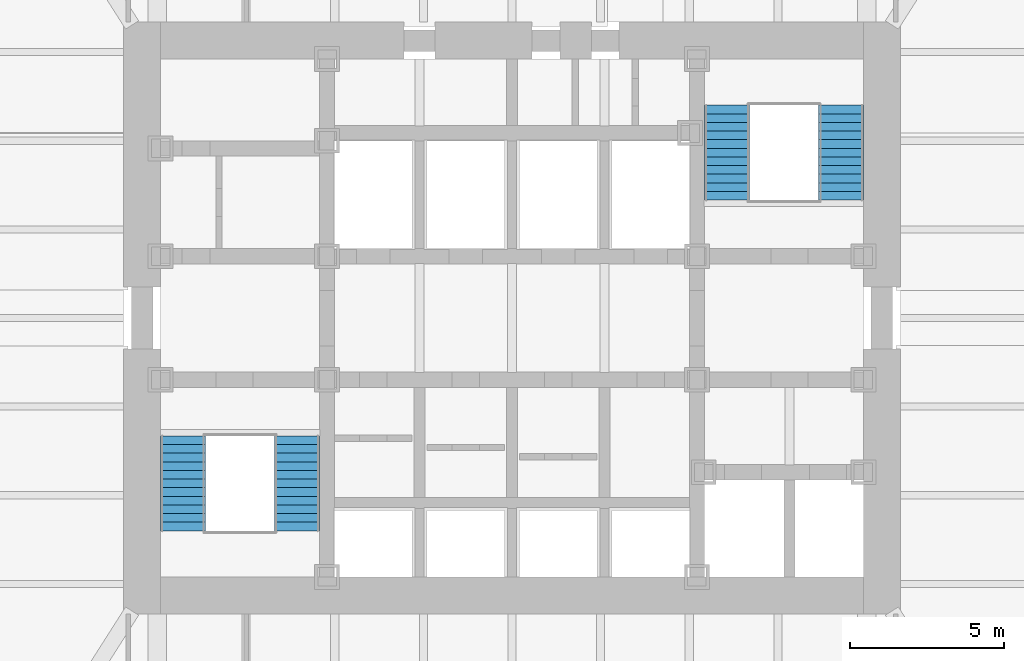
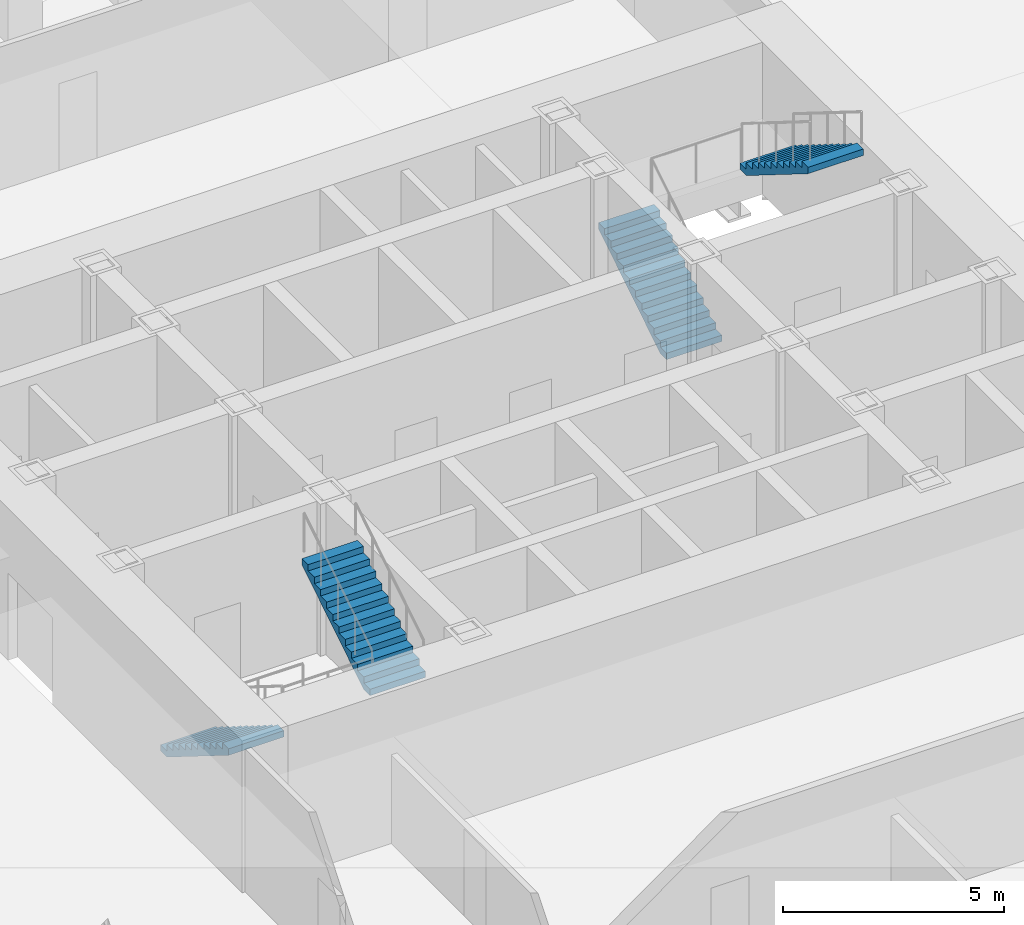
# One storey, part 11 of 17: 4 stair flights, 2 elements without a shape of their own.
"""IFC4 building model written with IfcOpenShell, lengths in metres."""

from ifc_helpers import new_model, si_unit, direction, frame, origin, place, context, subcontext, project, spatial, polyline, outline, extrude, material, type_object, element, aggregate, save


model = new_model("IFC4")

# Units and contexts
model_context = context("Model", 3, precision=1e-05, world=origin(), true_north=direction((0.0, 1.0)))
body_context = subcontext(model_context, "Body", "Model", "MODEL_VIEW")
ifc_project = project(units=[si_unit("LENGTHUNIT", "METRE"), si_unit("AREAUNIT", "SQUARE_METRE"), si_unit("VOLUMEUNIT", "CUBIC_METRE"), si_unit("PLANEANGLEUNIT", "RADIAN"), si_unit("MASSUNIT", "GRAM", prefix="KILO")], contexts=[model_context])

# Site, building, storey
site_placement = place(None, origin())
site = spatial("IfcSite", under=ifc_project, at=site_placement, CompositionType="ELEMENT")
building_placement = place(site_placement, origin())
building = spatial("IfcBuilding", under=site, at=building_placement, Name="Daluyong Arena Tower", CompositionType="ELEMENT")
storey_placement = place(building_placement, frame((0.0, 0.0, 171.10009765625)))
storey = spatial("IfcBuildingStorey", under=building, at=storey_placement, Name="L38", CompositionType="ELEMENT", Elevation=171.10009765625)

# Stair, stair flights
ifc_material_1 = material(Name="Concrete fc' 35 MPa", Category="concrete")
stair_type = type_object("IfcStairType", Name="Core exit stair", PredefinedType="HALF_TURN_STAIR", material=ifc_material_1)
stair_1_placement = place(storey_placement, origin())
stair_1 = element("IfcStair", 1, at=stair_1_placement, inside=storey, type_object=stair_type, Name="exit stair A L38", PredefinedType="HALF_TURN_STAIR")
ifc_material_2 = material(Name="Concrete fc' 35 MPa", Category="concrete")
stair_flight_type = type_object("IfcStairFlightType", Name="Core stair flight", PredefinedType="STRAIGHT", material=ifc_material_2)
stair_flight_1_placement = place(storey_placement, frame((45.324951171875, 76.175048828125, 0.0), z_axis=(0.0, 0.0, 1.0), x_axis=(0.0, -1.0, 0.0)))
stair_flight_1 = element("IfcStairFlight", 2, at=stair_flight_1_placement, type_object=stair_flight_type, Name="STA flight 1", NumberOfRisers=12, NumberOfTreads=11, PredefinedType="STRAIGHT", RiserHeight=0.175, TreadLength=0.28, context=body_context, shape_type="SweptSolid", body=[
    extrude(outline(polyline([(0.0, 0.0), (0.0, 0.175048828125), (0.280029296875, 0.175048828125), (0.280029296875, 0.35009765625), (0.56005859375, 0.35009765625), (0.56005859375, 0.52490234375), (0.840087890625, 0.52490234375), (0.840087890625, 0.699951171875), (1.1201171875, 0.699951171875), (1.1201171875, 0.875), (1.39990234375, 0.875), (1.39990234375, 1.050048828125), (1.679931640625, 1.050048828125), (1.679931640625, 1.22509765625), (1.9599609375, 1.22509765625), (1.9599609375, 1.39990234375), (2.239990234375, 1.39990234375), (2.239990234375, 1.574951171875), (2.52001953125, 1.574951171875), (2.52001953125, 1.75), (2.800048828125, 1.75), (2.800048828125, 1.925048828125), (3.080078125, 1.925048828125), (3.080078125, 2.10009765625), (3.080078125, 1.748291015625), (0.28271484375, 0.0), (0.0, 0.0)])), frame((0.0, 0.72509765625, 0.0), z_axis=(0.0, -1.0, 0.0), x_axis=(1.0, 0.0, 0.0)), (0.0, 0.0, 1.0), 1.449951171875),
])
stair_flight_2_placement = place(storey_placement, frame((49.02490234375, 73.094970703125, 2.099853515625), z_axis=(0.0, 0.0, 1.0), x_axis=(0.0, 1.0, 0.0)))
stair_flight_2 = element("IfcStairFlight", 3, at=stair_flight_2_placement, type_object=stair_flight_type, Name="STA flight 2", NumberOfRisers=12, NumberOfTreads=11, PredefinedType="STRAIGHT", RiserHeight=0.175, TreadLength=0.28, context=body_context, shape_type="SweptSolid", body=[
    extrude(outline(polyline([(0.0, 0.0), (0.0, 0.175048828125), (0.280029296875, 0.175048828125), (0.280029296875, 0.35009765625), (0.56005859375, 0.35009765625), (0.56005859375, 0.52490234375), (0.840087890625, 0.52490234375), (0.840087890625, 0.699951171875), (1.1201171875, 0.699951171875), (1.1201171875, 0.875), (1.39990234375, 0.875), (1.39990234375, 1.050048828125), (1.679931640625, 1.050048828125), (1.679931640625, 1.22509765625), (1.9599609375, 1.22509765625), (1.9599609375, 1.39990234375), (2.239990234375, 1.39990234375), (2.239990234375, 1.574951171875), (2.52001953125, 1.574951171875), (2.52001953125, 1.75), (2.800048828125, 1.75), (2.800048828125, 1.925048828125), (3.080078125, 1.925048828125), (3.080078125, 2.10009765625), (3.080078125, 1.748291015625), (0.28271484375, 0.0), (0.0, 0.0)])), frame((0.0, 0.72509765625, 0.0), z_axis=(0.0, -1.0, 0.0), x_axis=(1.0, 0.0, 0.0)), (0.0, 0.0, 1.0), 1.449951171875),
])
aggregate(stair_1, [stair_flight_1, stair_flight_2])

stair_2_placement = place(storey_placement, origin())
stair_2 = element("IfcStair", 4, at=stair_2_placement, inside=storey, type_object=stair_type, Name="exit stair B L38", PredefinedType="HALF_TURN_STAIR")
stair_flight_3_placement = place(storey_placement, frame((62.97509765625, 83.824951171875, 0.0), z_axis=(0.0, 0.0, 1.0), x_axis=(0.0, 1.0, 0.0)))
stair_flight_3 = element("IfcStairFlight", 5, at=stair_flight_3_placement, type_object=stair_flight_type, Name="STB flight 1", NumberOfRisers=12, NumberOfTreads=11, PredefinedType="STRAIGHT", RiserHeight=0.175, TreadLength=0.28, context=body_context, shape_type="SweptSolid", body=[
    extrude(outline(polyline([(0.0, 0.0), (0.0, 0.175048828125), (0.280029296875, 0.175048828125), (0.280029296875, 0.35009765625), (0.56005859375, 0.35009765625), (0.56005859375, 0.52490234375), (0.840087890625, 0.52490234375), (0.840087890625, 0.699951171875), (1.1201171875, 0.699951171875), (1.1201171875, 0.875), (1.39990234375, 0.875), (1.39990234375, 1.050048828125), (1.679931640625, 1.050048828125), (1.679931640625, 1.22509765625), (1.9599609375, 1.22509765625), (1.9599609375, 1.39990234375), (2.239990234375, 1.39990234375), (2.239990234375, 1.574951171875), (2.52001953125, 1.574951171875), (2.52001953125, 1.75), (2.800048828125, 1.75), (2.800048828125, 1.925048828125), (3.080078125, 1.925048828125), (3.080078125, 2.10009765625), (3.080078125, 1.748291015625), (0.28271484375, 0.0), (0.0, 0.0)])), frame((0.0, 0.72509765625, 0.0), z_axis=(0.0, -1.0, 0.0), x_axis=(1.0, 0.0, 0.0)), (0.0, 0.0, 1.0), 1.449951171875),
])
stair_flight_4_placement = place(storey_placement, frame((66.675048828125, 86.905029296875, 2.099853515625), z_axis=(0.0, 0.0, 1.0), x_axis=(0.0, -1.0, 0.0)))
stair_flight_4 = element("IfcStairFlight", 6, at=stair_flight_4_placement, type_object=stair_flight_type, Name="STB flight 2", NumberOfRisers=12, NumberOfTreads=11, PredefinedType="STRAIGHT", RiserHeight=0.175, TreadLength=0.28, context=body_context, shape_type="SweptSolid", body=[
    extrude(outline(polyline([(0.0, 0.0), (0.0, 0.175048828125), (0.280029296875, 0.175048828125), (0.280029296875, 0.35009765625), (0.56005859375, 0.35009765625), (0.56005859375, 0.52490234375), (0.840087890625, 0.52490234375), (0.840087890625, 0.699951171875), (1.1201171875, 0.699951171875), (1.1201171875, 0.875), (1.39990234375, 0.875), (1.39990234375, 1.050048828125), (1.679931640625, 1.050048828125), (1.679931640625, 1.22509765625), (1.9599609375, 1.22509765625), (1.9599609375, 1.39990234375), (2.239990234375, 1.39990234375), (2.239990234375, 1.574951171875), (2.52001953125, 1.574951171875), (2.52001953125, 1.75), (2.800048828125, 1.75), (2.800048828125, 1.925048828125), (3.080078125, 1.925048828125), (3.080078125, 2.10009765625), (3.080078125, 1.748291015625), (0.28271484375, 0.0), (0.0, 0.0)])), frame((0.0, 0.72509765625, 0.0), z_axis=(0.0, -1.0, 0.0), x_axis=(1.0, 0.0, 0.0)), (0.0, 0.0, 1.0), 1.449951171875),
])
aggregate(stair_2, [stair_flight_3, stair_flight_4])

save(model, "model.ifc")
